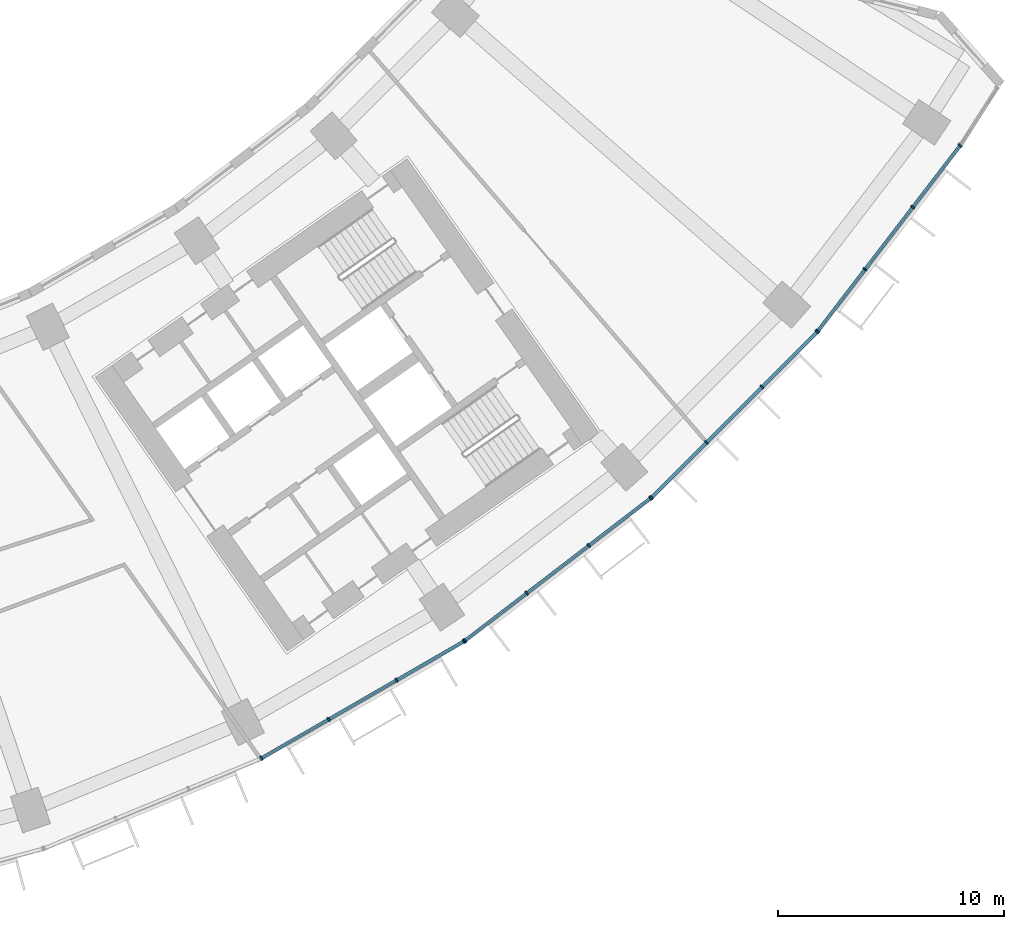
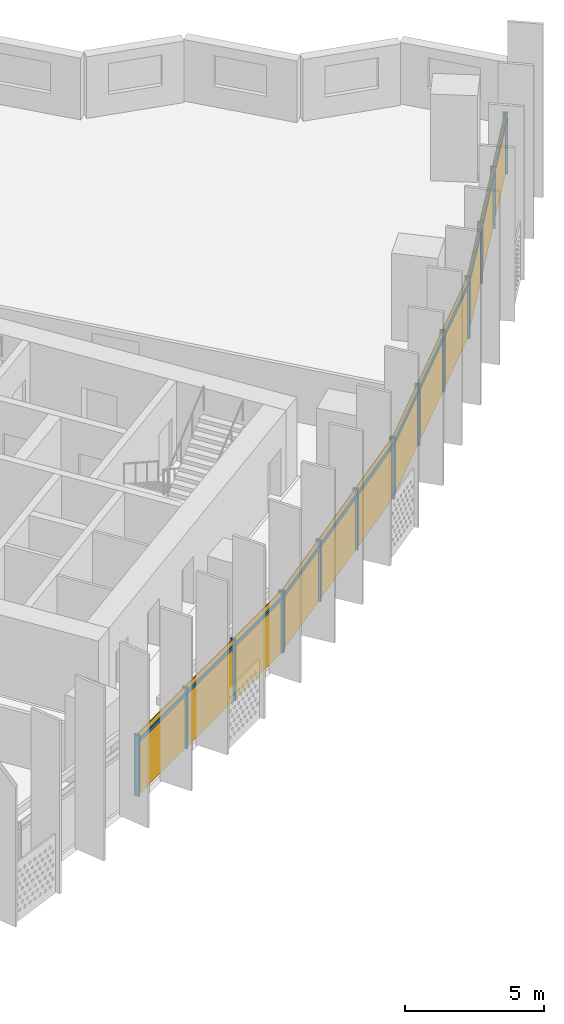
# One storey, part 23 of 33: 28 members, 4 curtain walls.
"""IFC4 building model written with IfcOpenShell, lengths in metres."""

from ifc_helpers import new_model, si_unit, direction, frame, origin, origin_2d, place, context, subcontext, project, spatial, rectangle, extrude, material, material_profile, profile_set, type_object, element, aggregate, save


model = new_model("IFC4")

# Units and contexts
model_context = context("Model", 3, precision=1e-05, world=origin(), true_north=direction((0.0, 1.0)))
body_context = subcontext(model_context, "Body", "Model", "MODEL_VIEW")
ifc_project = project(units=[si_unit("LENGTHUNIT", "METRE"), si_unit("AREAUNIT", "SQUARE_METRE"), si_unit("VOLUMEUNIT", "CUBIC_METRE"), si_unit("PLANEANGLEUNIT", "RADIAN"), si_unit("MASSUNIT", "GRAM", prefix="KILO")], contexts=[model_context])

# Member
ifc_material = material(Name="Aluminium 6063-T6 anodised", Category="aluminium")
ifc_material_profile_1 = material_profile(ifc_material, rectangle(XDim=0.199951171875, YDim=0.070068359375, at=origin_2d()))
ifc_profile_set_1 = profile_set([ifc_material_profile_1], Name="Aluminium 6063-T6 anodised")
member_type_1 = type_object("IfcMemberType", Name="Mullion 70 x 200 aluminium", PredefinedType="MULLION", material=ifc_profile_set_1)
site_placement = place(None, origin())
building_placement = place(site_placement, origin())
storey_placement = place(building_placement, frame((0.0, 0.0, 78.5)))
member_1_placement = place(storey_placement, frame((35.20849609375, -71.331787109375, 0.0), z_axis=(0.0, 0.0, 1.0), x_axis=(-0.5, 0.866025403784, 0.0)))
member_1 = element("IfcMember", 1, at=member_1_placement, type_object=member_type_1, Name="e-cw1-L16-out12/M00", PredefinedType="MULLION", context=body_context, shape_type="SweptSolid", body=[
    extrude(rectangle(XDim=0.199951171875, YDim=0.070068359375, at=origin_2d()), origin(), (0.0, 0.0, 1.0), 2.699951171875),
])

member_2_placement = place(storey_placement, frame((38.18603515625, -69.61279296875, 0.0), z_axis=(0.0, 0.0, 1.0), x_axis=(-0.5, 0.866025403784, 0.0)))
member_2 = element("IfcMember", 2, at=member_2_placement, type_object=member_type_1, Name="e-cw1-L16-out12/M01", PredefinedType="MULLION", context=body_context, shape_type="SweptSolid", body=[
    extrude(rectangle(XDim=0.199951171875, YDim=0.070068359375, at=origin_2d()), origin(), (0.0, 0.0, 1.0), 2.699951171875),
])

member_3_placement = place(storey_placement, frame((41.193603515625, -67.87646484375, 0.0), z_axis=(0.0, 0.0, 1.0), x_axis=(-0.5, 0.866025403784, 0.0)))
member_3 = element("IfcMember", 3, at=member_3_placement, type_object=member_type_1, Name="e-cw1-L16-out12/M02", PredefinedType="MULLION", context=body_context, shape_type="SweptSolid", body=[
    extrude(rectangle(XDim=0.199951171875, YDim=0.070068359375, at=origin_2d()), origin(), (0.0, 0.0, 1.0), 2.699951171875),
])

member_4_placement = place(storey_placement, frame((44.1708984375, -66.157470703125, 0.0), z_axis=(0.0, 0.0, 1.0), x_axis=(-0.5, 0.866025403784, 0.0)))
member_4 = element("IfcMember", 4, at=member_4_placement, type_object=member_type_1, Name="e-cw1-L16-out12/M03", PredefinedType="MULLION", context=body_context, shape_type="SweptSolid", body=[
    extrude(rectangle(XDim=0.199951171875, YDim=0.070068359375, at=origin_2d()), origin(), (0.0, 0.0, 1.0), 2.699951171875),
])

member_5_placement = place(storey_placement, frame((44.218017578125, -66.1259765625, 0.0), z_axis=(0.0, 0.0, 1.0), x_axis=(-0.608761429009, 0.793353340291, 0.0)))
member_5 = element("IfcMember", 5, at=member_5_placement, type_object=member_type_1, Name="e-cw1-L16-out13/M00", PredefinedType="MULLION", context=body_context, shape_type="SweptSolid", body=[
    extrude(rectangle(XDim=0.199951171875, YDim=0.070068359375, at=origin_2d()), origin(), (0.0, 0.0, 1.0), 2.699951171875),
])

member_6_placement = place(storey_placement, frame((46.945556640625, -64.032958984375, 0.0), z_axis=(0.0, 0.0, 1.0), x_axis=(-0.608761429009, 0.793353340291, 0.0)))
member_6 = element("IfcMember", 6, at=member_6_placement, type_object=member_type_1, Name="e-cw1-L16-out13/M01", PredefinedType="MULLION", context=body_context, shape_type="SweptSolid", body=[
    extrude(rectangle(XDim=0.199951171875, YDim=0.070068359375, at=origin_2d()), origin(), (0.0, 0.0, 1.0), 2.699951171875),
])

member_7_placement = place(storey_placement, frame((49.70068359375, -61.9189453125, 0.0), z_axis=(0.0, 0.0, 1.0), x_axis=(-0.608761429009, 0.793353340291, 0.0)))
member_7 = element("IfcMember", 7, at=member_7_placement, type_object=member_type_1, Name="e-cw1-L16-out13/M02", PredefinedType="MULLION", context=body_context, shape_type="SweptSolid", body=[
    extrude(rectangle(XDim=0.199951171875, YDim=0.070068359375, at=origin_2d()), origin(), (0.0, 0.0, 1.0), 2.699951171875),
])

member_8_placement = place(storey_placement, frame((52.42822265625, -59.825927734375, 0.0), z_axis=(0.0, 0.0, 1.0), x_axis=(-0.608761429009, 0.793353340291, 0.0)))
member_8 = element("IfcMember", 8, at=member_8_placement, type_object=member_type_1, Name="e-cw1-L16-out13/M03", PredefinedType="MULLION", context=body_context, shape_type="SweptSolid", body=[
    extrude(rectangle(XDim=0.199951171875, YDim=0.070068359375, at=origin_2d()), origin(), (0.0, 0.0, 1.0), 2.699951171875),
])

member_9_placement = place(storey_placement, frame((52.470947265625, -59.78857421875, 0.0), z_axis=(0.0, 0.0, 1.0), x_axis=(-0.707106781187, 0.707106781187, 0.0)))
member_9 = element("IfcMember", 9, at=member_9_placement, type_object=member_type_1, Name="e-cw1-L16-out14/M00", PredefinedType="MULLION", context=body_context, shape_type="SweptSolid", body=[
    extrude(rectangle(XDim=0.199951171875, YDim=0.070068359375, at=origin_2d()), origin(), (0.0, 0.0, 1.0), 2.699951171875),
])

member_10_placement = place(storey_placement, frame((54.90185546875, -57.357666015625, 0.0), z_axis=(0.0, 0.0, 1.0), x_axis=(-0.707106781187, 0.707106781187, 0.0)))
member_10 = element("IfcMember", 10, at=member_10_placement, type_object=member_type_1, Name="e-cw1-L16-out14/M01", PredefinedType="MULLION", context=body_context, shape_type="SweptSolid", body=[
    extrude(rectangle(XDim=0.199951171875, YDim=0.070068359375, at=origin_2d()), origin(), (0.0, 0.0, 1.0), 2.699951171875),
])

member_11_placement = place(storey_placement, frame((57.357666015625, -54.90185546875, 0.0), z_axis=(0.0, 0.0, 1.0), x_axis=(-0.707106781187, 0.707106781187, 0.0)))
member_11 = element("IfcMember", 11, at=member_11_placement, type_object=member_type_1, Name="e-cw1-L16-out14/M02", PredefinedType="MULLION", context=body_context, shape_type="SweptSolid", body=[
    extrude(rectangle(XDim=0.199951171875, YDim=0.070068359375, at=origin_2d()), origin(), (0.0, 0.0, 1.0), 2.699951171875),
])

member_12_placement = place(storey_placement, frame((59.78857421875, -52.470947265625, 0.0), z_axis=(0.0, 0.0, 1.0), x_axis=(-0.707106781187, 0.707106781187, 0.0)))
member_12 = element("IfcMember", 12, at=member_12_placement, type_object=member_type_1, Name="e-cw1-L16-out14/M03", PredefinedType="MULLION", context=body_context, shape_type="SweptSolid", body=[
    extrude(rectangle(XDim=0.199951171875, YDim=0.070068359375, at=origin_2d()), origin(), (0.0, 0.0, 1.0), 2.699951171875),
])

member_13_placement = place(storey_placement, frame((59.825927734375, -52.42822265625, 0.0), z_axis=(0.0, 0.0, 1.0), x_axis=(-0.793353340291, 0.608761429009, 0.0)))
member_13 = element("IfcMember", 13, at=member_13_placement, type_object=member_type_1, Name="e-cw1-L16-out15/M00", PredefinedType="MULLION", context=body_context, shape_type="SweptSolid", body=[
    extrude(rectangle(XDim=0.199951171875, YDim=0.070068359375, at=origin_2d()), origin(), (0.0, 0.0, 1.0), 2.699951171875),
])

member_14_placement = place(storey_placement, frame((61.9189453125, -49.70068359375, 0.0), z_axis=(0.0, 0.0, 1.0), x_axis=(-0.793353340291, 0.608761429009, 0.0)))
member_14 = element("IfcMember", 14, at=member_14_placement, type_object=member_type_1, Name="e-cw1-L16-out15/M01", PredefinedType="MULLION", context=body_context, shape_type="SweptSolid", body=[
    extrude(rectangle(XDim=0.199951171875, YDim=0.070068359375, at=origin_2d()), origin(), (0.0, 0.0, 1.0), 2.699951171875),
])

member_15_placement = place(storey_placement, frame((64.032958984375, -46.945556640625, 0.0), z_axis=(0.0, 0.0, 1.0), x_axis=(-0.793353340291, 0.608761429009, 0.0)))
member_15 = element("IfcMember", 15, at=member_15_placement, type_object=member_type_1, Name="e-cw1-L16-out15/M02", PredefinedType="MULLION", context=body_context, shape_type="SweptSolid", body=[
    extrude(rectangle(XDim=0.199951171875, YDim=0.070068359375, at=origin_2d()), origin(), (0.0, 0.0, 1.0), 2.699951171875),
])

member_16_placement = place(storey_placement, frame((66.1259765625, -44.218017578125, 0.0), z_axis=(0.0, 0.0, 1.0), x_axis=(-0.793353340291, 0.608761429009, 0.0)))
member_16 = element("IfcMember", 16, at=member_16_placement, type_object=member_type_1, Name="e-cw1-L16-out15/M03", PredefinedType="MULLION", context=body_context, shape_type="SweptSolid", body=[
    extrude(rectangle(XDim=0.199951171875, YDim=0.070068359375, at=origin_2d()), origin(), (0.0, 0.0, 1.0), 2.699951171875),
])

ifc_material_profile_2 = material_profile(ifc_material, rectangle(XDim=0.139892578125, YDim=0.1201171875, at=origin_2d()))
ifc_profile_set_2 = profile_set([ifc_material_profile_2], Name="Aluminium 6063-T6 anodised")
member_type_2 = type_object("IfcMemberType", Name="Transom 120 x 140 aluminium", PredefinedType="USERDEFINED", material=ifc_profile_set_2)
member_17_placement = place(storey_placement, frame((35.239013671875, -71.314208984375, 2.39990234375), z_axis=(0.866026229868, 0.499998569178, 0.0), x_axis=(-0.499998569178, 0.866026229868, 0.0)))
member_17 = element("IfcMember", 17, at=member_17_placement, type_object=member_type_2, Name="e-cw1-L16-out12/T00", ObjectType="TRANSOM", PredefinedType="USERDEFINED", context=body_context, shape_type="SweptSolid", body=[
    extrude(rectangle(XDim=0.139892578125, YDim=0.1201171875, at=origin_2d()), origin(), (0.0, 0.0, 1.0), 3.36767578125),
])

member_18_placement = place(storey_placement, frame((38.21630859375, -69.595458984375, 2.39990234375), z_axis=(0.866000398227, 0.500043308395, 0.0), x_axis=(-0.500043308395, 0.866000398227, 0.0)))
member_18 = element("IfcMember", 18, at=member_18_placement, type_object=member_type_2, Name="e-cw1-L16-out12/T01", ObjectType="TRANSOM", PredefinedType="USERDEFINED", context=body_context, shape_type="SweptSolid", body=[
    extrude(rectangle(XDim=0.139892578125, YDim=0.1201171875, at=origin_2d()), origin(), (0.0, 0.0, 1.0), 3.403076171875),
])

member_19_placement = place(storey_placement, frame((41.223876953125, -67.85888671875, 2.39990234375), z_axis=(0.866044351828, 0.49996717959, 0.0), x_axis=(-0.49996717959, 0.866044351828, 0.0)))
member_19 = element("IfcMember", 19, at=member_19_placement, type_object=member_type_2, Name="e-cw1-L16-out12/T02", ObjectType="TRANSOM", PredefinedType="USERDEFINED", context=body_context, shape_type="SweptSolid", body=[
    extrude(rectangle(XDim=0.139892578125, YDim=0.1201171875, at=origin_2d()), origin(), (0.0, 0.0, 1.0), 3.367919921875),
])

member_20_placement = place(storey_placement, frame((44.245849609375, -66.1044921875, 2.39990234375), z_axis=(0.793375276742, 0.608732839803, 0.0), x_axis=(-0.608732839803, 0.793375276742, 0.0)))
member_20 = element("IfcMember", 20, at=member_20_placement, type_object=member_type_2, Name="e-cw1-L16-out13/T00", ObjectType="TRANSOM", PredefinedType="USERDEFINED", context=body_context, shape_type="SweptSolid", body=[
    extrude(rectangle(XDim=0.139892578125, YDim=0.1201171875, at=origin_2d()), origin(), (0.0, 0.0, 1.0), 3.36767578125),
])

member_21_placement = place(storey_placement, frame((46.973388671875, -64.01171875, 2.39990234375), z_axis=(0.793356868815, 0.60875683052, 0.0), x_axis=(-0.60875683052, 0.793356868815, 0.0)))
member_21 = element("IfcMember", 21, at=member_21_placement, type_object=member_type_2, Name="e-cw1-L16-out13/T01", ObjectType="TRANSOM", PredefinedType="USERDEFINED", context=body_context, shape_type="SweptSolid", body=[
    extrude(rectangle(XDim=0.139892578125, YDim=0.1201171875, at=origin_2d()), origin(), (0.0, 0.0, 1.0), 3.40283203125),
])

member_22_placement = place(storey_placement, frame((49.728515625, -61.8974609375, 2.39990234375), z_axis=(0.793375276742, 0.608732839803, 0.0), x_axis=(-0.608732839803, 0.793375276742, 0.0)))
member_22 = element("IfcMember", 22, at=member_22_placement, type_object=member_type_2, Name="e-cw1-L16-out13/T02", ObjectType="TRANSOM", PredefinedType="USERDEFINED", context=body_context, shape_type="SweptSolid", body=[
    extrude(rectangle(XDim=0.139892578125, YDim=0.1201171875, at=origin_2d()), origin(), (0.0, 0.0, 1.0), 3.36767578125),
])

member_23_placement = place(storey_placement, frame((52.49560546875, -59.763916015625, 2.39990234375), z_axis=(0.707106781187, 0.707106781187, 0.0), x_axis=(-0.707106781187, 0.707106781187, 0.0)))
member_23 = element("IfcMember", 23, at=member_23_placement, type_object=member_type_2, Name="e-cw1-L16-out14/T00", ObjectType="TRANSOM", PredefinedType="USERDEFINED", context=body_context, shape_type="SweptSolid", body=[
    extrude(rectangle(XDim=0.139892578125, YDim=0.1201171875, at=origin_2d()), origin(), (0.0, 0.0, 1.0), 3.3681640625),
])

member_24_placement = place(storey_placement, frame((54.9267578125, -57.332763671875, 2.39990234375), z_axis=(0.707106781187, 0.707106781187, 0.0), x_axis=(-0.707106781187, 0.707106781187, 0.0)))
member_24 = element("IfcMember", 24, at=member_24_placement, type_object=member_type_2, Name="e-cw1-L16-out14/T01", ObjectType="TRANSOM", PredefinedType="USERDEFINED", context=body_context, shape_type="SweptSolid", body=[
    extrude(rectangle(XDim=0.139892578125, YDim=0.1201171875, at=origin_2d()), origin(), (0.0, 0.0, 1.0), 3.402587890625),
])

member_25_placement = place(storey_placement, frame((57.38232421875, -54.877197265625, 2.39990234375), z_axis=(0.707106781187, 0.707106781187, 0.0), x_axis=(-0.707106781187, 0.707106781187, 0.0)))
member_25 = element("IfcMember", 25, at=member_25_placement, type_object=member_type_2, Name="e-cw1-L16-out14/T02", ObjectType="TRANSOM", PredefinedType="USERDEFINED", context=body_context, shape_type="SweptSolid", body=[
    extrude(rectangle(XDim=0.139892578125, YDim=0.1201171875, at=origin_2d()), origin(), (0.0, 0.0, 1.0), 3.3681640625),
])

member_26_placement = place(storey_placement, frame((59.847412109375, -52.400390625, 2.39990234375), z_axis=(0.608732839803, 0.793375276742, 0.0), x_axis=(-0.793375276742, 0.608732839803, 0.0)))
member_26 = element("IfcMember", 26, at=member_26_placement, type_object=member_type_2, Name="e-cw1-L16-out15/T00", ObjectType="TRANSOM", PredefinedType="USERDEFINED", context=body_context, shape_type="SweptSolid", body=[
    extrude(rectangle(XDim=0.139892578125, YDim=0.1201171875, at=origin_2d()), origin(), (0.0, 0.0, 1.0), 3.36767578125),
])

member_27_placement = place(storey_placement, frame((61.940185546875, -49.673095703125, 2.39990234375), z_axis=(0.60875683052, 0.793356868815, 0.0), x_axis=(-0.793356868815, 0.60875683052, 0.0)))
member_27 = element("IfcMember", 27, at=member_27_placement, type_object=member_type_2, Name="e-cw1-L16-out15/T01", ObjectType="TRANSOM", PredefinedType="USERDEFINED", context=body_context, shape_type="SweptSolid", body=[
    extrude(rectangle(XDim=0.139892578125, YDim=0.1201171875, at=origin_2d()), origin(), (0.0, 0.0, 1.0), 3.40283203125),
])

member_28_placement = place(storey_placement, frame((64.054443359375, -46.917724609375, 2.39990234375), z_axis=(0.608732839803, 0.793375276742, 0.0), x_axis=(-0.793375276742, 0.608732839803, 0.0)))
member_28 = element("IfcMember", 28, at=member_28_placement, type_object=member_type_2, Name="e-cw1-L16-out15/T02", ObjectType="TRANSOM", PredefinedType="USERDEFINED", context=body_context, shape_type="SweptSolid", body=[
    extrude(rectangle(XDim=0.139892578125, YDim=0.1201171875, at=origin_2d()), origin(), (0.0, 0.0, 1.0), 3.36767578125),
])

# Site, building, storey
site = spatial("IfcSite", under=ifc_project, at=site_placement, CompositionType="ELEMENT")
building = spatial("IfcBuilding", under=site, at=building_placement, Name="Qamariyya Broadcast Tower", CompositionType="ELEMENT")
storey = spatial("IfcBuildingStorey", under=building, at=storey_placement, Name="L16", CompositionType="ELEMENT", Elevation=78.5)

# Curtain wall
curtain_wall_type = type_object("IfcCurtainWallType", Name="Unitised curtain wall, anodised aluminium", PredefinedType="NOTDEFINED", material=ifc_material)
curtain_wall_1_placement = place(storey_placement, origin())
curtain_wall_1 = element("IfcCurtainWall", 29, at=curtain_wall_1_placement, inside=storey, type_object=curtain_wall_type, Name="e-cw1-L16-out12", PredefinedType="NOTDEFINED", context=body_context, shape_type="SweptSolid", body=[
    extrude(rectangle(XDim=3.367919921875, YDim=0.031982421875, at=origin_2d()), frame((36.697265625, -70.472412109375, 0.0), x_axis=(0.86602247392, 0.500005074639, 0.0)), (0.0, 0.0, 1.0), 2.340087890625),
    extrude(rectangle(XDim=3.367919921875, YDim=0.031982421875, at=origin_2d()), frame((36.697265625, -70.472412109375, 2.4599609375), x_axis=(0.86602247392, 0.500005074639, 0.0)), (0.0, 0.0, 1.0), 0.239990234375),
    extrude(rectangle(XDim=3.40283203125, YDim=0.031982421875, at=origin_2d()), frame((39.689697265625, -68.74462890625, 0.0), x_axis=(0.86602247392, 0.500005074639, 0.0)), (0.0, 0.0, 1.0), 2.340087890625),
    extrude(rectangle(XDim=3.40283203125, YDim=0.031982421875, at=origin_2d()), frame((39.689697265625, -68.74462890625, 2.4599609375), x_axis=(0.86602247392, 0.500005074639, 0.0)), (0.0, 0.0, 1.0), 0.239990234375),
    extrude(rectangle(XDim=3.367919921875, YDim=0.031982421875, at=origin_2d()), frame((42.68212890625, -67.016845703125, 0.0), x_axis=(0.86602247392, 0.500005074639, 0.0)), (0.0, 0.0, 1.0), 2.340087890625),
    extrude(rectangle(XDim=3.367919921875, YDim=0.031982421875, at=origin_2d()), frame((42.68212890625, -67.016845703125, 2.4599609375), x_axis=(0.86602247392, 0.500005074639, 0.0)), (0.0, 0.0, 1.0), 0.239990234375),
])

aggregate(curtain_wall_1, [member_1, member_2, member_3, member_4, member_17, member_18, member_19])

curtain_wall_2_placement = place(storey_placement, origin())
curtain_wall_2 = element("IfcCurtainWall", 30, at=curtain_wall_2_placement, inside=storey, type_object=curtain_wall_type, Name="e-cw1-L16-out13", PredefinedType="NOTDEFINED", context=body_context, shape_type="SweptSolid", body=[
    extrude(rectangle(XDim=3.367919921875, YDim=0.031982421875, at=origin_2d()), frame((45.581787109375, -65.07958984375, 0.0), x_axis=(0.79335775203, 0.608755679475, 0.0)), (0.0, 0.0, 1.0), 2.340087890625),
    extrude(rectangle(XDim=3.367919921875, YDim=0.031982421875, at=origin_2d()), frame((45.581787109375, -65.07958984375, 2.4599609375), x_axis=(0.79335775203, 0.608755679475, 0.0)), (0.0, 0.0, 1.0), 0.239990234375),
    extrude(rectangle(XDim=3.40283203125, YDim=0.031982421875, at=origin_2d()), frame((48.3232421875, -62.97607421875, 0.0), x_axis=(0.79335775203, 0.608755679475, 0.0)), (0.0, 0.0, 1.0), 2.340087890625),
    extrude(rectangle(XDim=3.40283203125, YDim=0.031982421875, at=origin_2d()), frame((48.3232421875, -62.97607421875, 2.4599609375), x_axis=(0.79335775203, 0.608755679475, 0.0)), (0.0, 0.0, 1.0), 0.239990234375),
    extrude(rectangle(XDim=3.367919921875, YDim=0.031982421875, at=origin_2d()), frame((51.064453125, -60.872314453125, 0.0), x_axis=(0.79335775203, 0.608755679475, 0.0)), (0.0, 0.0, 1.0), 2.340087890625),
    extrude(rectangle(XDim=3.367919921875, YDim=0.031982421875, at=origin_2d()), frame((51.064453125, -60.872314453125, 2.4599609375), x_axis=(0.79335775203, 0.608755679475, 0.0)), (0.0, 0.0, 1.0), 0.239990234375),
])

aggregate(curtain_wall_2, [member_5, member_6, member_7, member_8, member_20, member_21, member_22])

curtain_wall_3_placement = place(storey_placement, origin())
curtain_wall_3 = element("IfcCurtainWall", 31, at=curtain_wall_3_placement, inside=storey, type_object=curtain_wall_type, Name="e-cw1-L16-out14", PredefinedType="NOTDEFINED", context=body_context, shape_type="SweptSolid", body=[
    extrude(rectangle(XDim=3.367919921875, YDim=0.031982421875, at=origin_2d()), frame((53.6865234375, -58.572998046875, 0.0), x_axis=(0.707106781187, 0.707106781187, 0.0)), (0.0, 0.0, 1.0), 2.340087890625),
    extrude(rectangle(XDim=3.367919921875, YDim=0.031982421875, at=origin_2d()), frame((53.6865234375, -58.572998046875, 2.4599609375), x_axis=(0.707106781187, 0.707106781187, 0.0)), (0.0, 0.0, 1.0), 0.239990234375),
    extrude(rectangle(XDim=3.40283203125, YDim=0.031982421875, at=origin_2d()), frame((56.1298828125, -56.1298828125, 0.0), x_axis=(0.707106781187, 0.707106781187, 0.0)), (0.0, 0.0, 1.0), 2.340087890625),
    extrude(rectangle(XDim=3.40283203125, YDim=0.031982421875, at=origin_2d()), frame((56.1298828125, -56.1298828125, 2.4599609375), x_axis=(0.707106781187, 0.707106781187, 0.0)), (0.0, 0.0, 1.0), 0.239990234375),
    extrude(rectangle(XDim=3.367919921875, YDim=0.031982421875, at=origin_2d()), frame((58.572998046875, -53.6865234375, 0.0), x_axis=(0.707106781187, 0.707106781187, 0.0)), (0.0, 0.0, 1.0), 2.340087890625),
    extrude(rectangle(XDim=3.367919921875, YDim=0.031982421875, at=origin_2d()), frame((58.572998046875, -53.6865234375, 2.4599609375), x_axis=(0.707106781187, 0.707106781187, 0.0)), (0.0, 0.0, 1.0), 0.239990234375),
])

aggregate(curtain_wall_3, [member_9, member_10, member_11, member_12, member_23, member_24, member_25])

curtain_wall_4_placement = place(storey_placement, origin())
curtain_wall_4 = element("IfcCurtainWall", 32, at=curtain_wall_4_placement, inside=storey, type_object=curtain_wall_type, Name="e-cw1-L16-out15", PredefinedType="NOTDEFINED", context=body_context, shape_type="SweptSolid", body=[
    extrude(rectangle(XDim=3.367919921875, YDim=0.031982421875, at=origin_2d()), frame((60.872314453125, -51.064453125, 0.0), x_axis=(0.608755679475, 0.79335775203, 0.0)), (0.0, 0.0, 1.0), 2.340087890625),
    extrude(rectangle(XDim=3.367919921875, YDim=0.031982421875, at=origin_2d()), frame((60.872314453125, -51.064453125, 2.4599609375), x_axis=(0.608755679475, 0.79335775203, 0.0)), (0.0, 0.0, 1.0), 0.239990234375),
    extrude(rectangle(XDim=3.40283203125, YDim=0.031982421875, at=origin_2d()), frame((62.97607421875, -48.3232421875, 0.0), x_axis=(0.608755679475, 0.79335775203, 0.0)), (0.0, 0.0, 1.0), 2.340087890625),
    extrude(rectangle(XDim=3.40283203125, YDim=0.031982421875, at=origin_2d()), frame((62.97607421875, -48.3232421875, 2.4599609375), x_axis=(0.608755679475, 0.79335775203, 0.0)), (0.0, 0.0, 1.0), 0.239990234375),
    extrude(rectangle(XDim=3.367919921875, YDim=0.031982421875, at=origin_2d()), frame((65.07958984375, -45.581787109375, 0.0), x_axis=(0.608755679475, 0.79335775203, 0.0)), (0.0, 0.0, 1.0), 2.340087890625),
    extrude(rectangle(XDim=3.367919921875, YDim=0.031982421875, at=origin_2d()), frame((65.07958984375, -45.581787109375, 2.4599609375), x_axis=(0.608755679475, 0.79335775203, 0.0)), (0.0, 0.0, 1.0), 0.239990234375),
])

aggregate(curtain_wall_4, [member_13, member_14, member_15, member_16, member_26, member_27, member_28])

save(model, "model.ifc")
